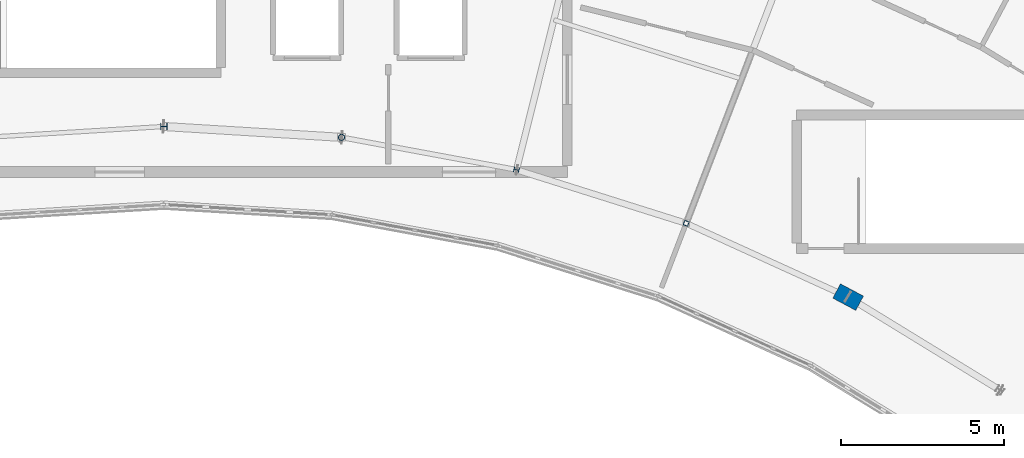
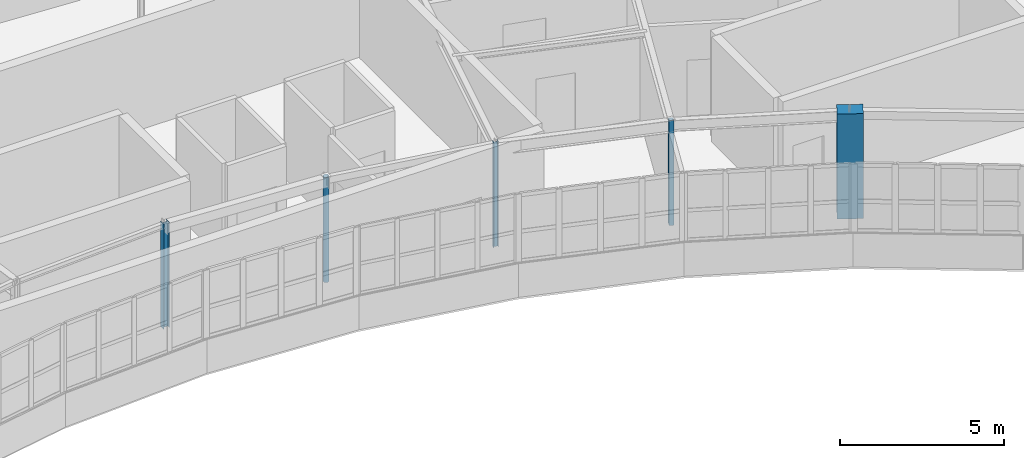
# One storey, part 2 of 26: 5 columns.
"""IFC4 building model written with IfcOpenShell, lengths in metres."""

from ifc_helpers import new_model, si_unit, direction, frame, origin, origin_2d, place, context, subcontext, project, spatial, rectangle, hollow_rectangle, hollow_circle, i_section, extrude, material, material_profile, profile_set, type_object, element, save


model = new_model("IFC4")

# Units and contexts
model_context = context("Model", 3, precision=1e-05, world=origin(), true_north=direction((0.0, 1.0)))
body_context = subcontext(model_context, "Body", "Model", "MODEL_VIEW")
ifc_project = project(units=[si_unit("LENGTHUNIT", "METRE"), si_unit("AREAUNIT", "SQUARE_METRE"), si_unit("VOLUMEUNIT", "CUBIC_METRE"), si_unit("PLANEANGLEUNIT", "RADIAN"), si_unit("MASSUNIT", "GRAM", prefix="KILO")], contexts=[model_context])

# Site, building, storey
site_placement = place(None, origin())
site = spatial("IfcSite", under=ifc_project, at=site_placement, CompositionType="ELEMENT")
building_placement = place(site_placement, origin())
building = spatial("IfcBuilding", under=site, at=building_placement, Name="Tarnwether General Hospital", CompositionType="ELEMENT")
storey_placement = place(building_placement, frame((0.0, 0.0, 30.0)))
storey = spatial("IfcBuildingStorey", under=building, at=storey_placement, Name="L07", CompositionType="ELEMENT", Elevation=30.0)

# Columns
ifc_material_1 = material(Name="Concrete 50 MPa", Category="concrete")
ifc_material_profile_1 = material_profile(ifc_material_1, rectangle(XDim=0.5, YDim=0.800048828125, at=origin_2d()), Name="RC-PIL-500x800")
ifc_profile_set_1 = profile_set([ifc_material_profile_1], Name="Concrete 50 MPa")
column_type_1 = type_object("IfcColumnType", Name="COL-23", PredefinedType="PILASTER", material=ifc_profile_set_1)
column_1_placement = place(storey_placement, frame((113.031982421875, 102.555908203125, 0.0), z_axis=(0.0, 0.0, 1.0), x_axis=(0.469471562786, 0.882947592859, 0.0)))
element("IfcColumn", 1, at=column_1_placement, inside=storey, type_object=column_type_1, Name="Column COLG-L07-11303_10256", PredefinedType="PILASTER", context=body_context, shape_type="SweptSolid", body=[
    extrude(rectangle(XDim=0.5, YDim=0.800048828125, at=origin_2d()), origin(), (0.0, 0.0, 1.0), 3.89990234375),
])
ifc_material_2 = material(Name="Steel Grade 350 (350 MPa)", Category="steel")
ifc_material_profile_2 = material_profile(ifc_material_2, i_section(OverallWidth=0.202880859375, OverallDepth=0.202880859375, WebThickness=0.00732421875, FlangeThickness=0.010986328125, at=origin_2d()), Name="200UC46.2")
ifc_profile_set_2 = profile_set([ifc_material_profile_2], Name="Steel Grade 350 (350 MPa)")
column_type_2 = type_object("IfcColumnType", Name="COL-27", PredefinedType="COLUMN", material=ifc_profile_set_2)
column_2_placement = place(storey_placement, frame((92.0, 107.800048828125, 0.0), z_axis=(0.0, 0.0, 1.0), x_axis=(0.0, 1.0, 0.0)))
element("IfcColumn", 2, at=column_2_placement, inside=storey, type_object=column_type_2, Name="Column COLG-L07-9200_10780", PredefinedType="COLUMN", context=body_context, shape_type="SweptSolid", body=[
    extrude(i_section(OverallWidth=0.202880859375, OverallDepth=0.202880859375, WebThickness=0.00732421875, FlangeThickness=0.010986328125, at=origin_2d()), origin(), (0.0, 0.0, 1.0), 3.89990234375),
])
ifc_material_3 = material(Name="Steel Grade C350L0 (350 MPa)", Category="steel")
ifc_material_profile_3 = material_profile(ifc_material_3, hollow_circle(Radius=0.096923828125, WallThickness=0.008056640625, at=origin_2d()), Name="CHS193.7x8.0")
ifc_profile_set_3 = profile_set([ifc_material_profile_3], Name="Steel Grade C350L0 (350 MPa)")
column_type_3 = type_object("IfcColumnType", Name="COL-29", PredefinedType="COLUMN", material=ifc_profile_set_3)
column_3_placement = place(storey_placement, frame((97.4599609375, 107.466064453125, 0.0), z_axis=(0.0, 0.0, 1.0), x_axis=(0.121869343405, 0.992546151641, 0.0)))
element("IfcColumn", 3, at=column_3_placement, inside=storey, type_object=column_type_3, Name="Column COLG-L07-9746_10747", PredefinedType="COLUMN", context=body_context, shape_type="SweptSolid", body=[
    extrude(hollow_circle(Radius=0.096923828125, WallThickness=0.008056640625, at=origin_2d()), origin(), (0.0, 0.0, 1.0), 3.89990234375),
])
ifc_material_4 = material(Name="Steel Grade 350 (350 MPa)", Category="steel")
ifc_material_profile_4 = material_profile(ifc_material_4, i_section(OverallWidth=0.153076171875, OverallDepth=0.157958984375, WebThickness=0.006591796875, FlangeThickness=0.009521484375, at=origin_2d()), Name="150UC30.0")
ifc_profile_set_4 = profile_set([ifc_material_profile_4], Name="Steel Grade 350 (350 MPa)")
column_type_4 = type_object("IfcColumnType", Name="COL-31", PredefinedType="COLUMN", material=ifc_profile_set_4)
column_4_placement = place(storey_placement, frame((102.837890625, 106.468994140625, 0.0), z_axis=(0.0, 0.0, 1.0), x_axis=(0.2419218956, 0.970295726276, 0.0)))
element("IfcColumn", 4, at=column_4_placement, inside=storey, type_object=column_type_4, Name="Column COLG-L07-10284_10647", PredefinedType="COLUMN", context=body_context, shape_type="SweptSolid", body=[
    extrude(i_section(OverallWidth=0.153076171875, OverallDepth=0.157958984375, WebThickness=0.006591796875, FlangeThickness=0.009521484375, at=origin_2d()), origin(), (0.0, 0.0, 1.0), 3.89990234375),
])
ifc_material_5 = material(Name="Steel Grade C350L0 (350 MPa)", Category="steel")
ifc_material_profile_5 = material_profile(ifc_material_5, hollow_rectangle(XDim=0.14990234375, YDim=0.14990234375, WallThickness=0.008056640625, at=origin_2d()), Name="SHS150x150x8")
ifc_profile_set_5 = profile_set([ifc_material_profile_5], Name="Steel Grade C350L0 (350 MPa)")
column_type_5 = type_object("IfcColumnType", Name="COL-33", PredefinedType="COLUMN", material=ifc_profile_set_5)
column_5_placement = place(storey_placement, frame((108.054931640625, 104.823974609375, 0.0), z_axis=(0.0, 0.0, 1.0), x_axis=(0.358367949545, 0.933580426497, 0.0)))
element("IfcColumn", 5, at=column_5_placement, inside=storey, type_object=column_type_5, Name="Column COLG-L07-10806_10482", PredefinedType="COLUMN", context=body_context, shape_type="SweptSolid", body=[
    extrude(hollow_rectangle(XDim=0.14990234375, YDim=0.14990234375, WallThickness=0.008056640625, at=origin_2d()), origin(), (0.0, 0.0, 1.0), 3.89990234375),
])

save(model, "model.ifc")
